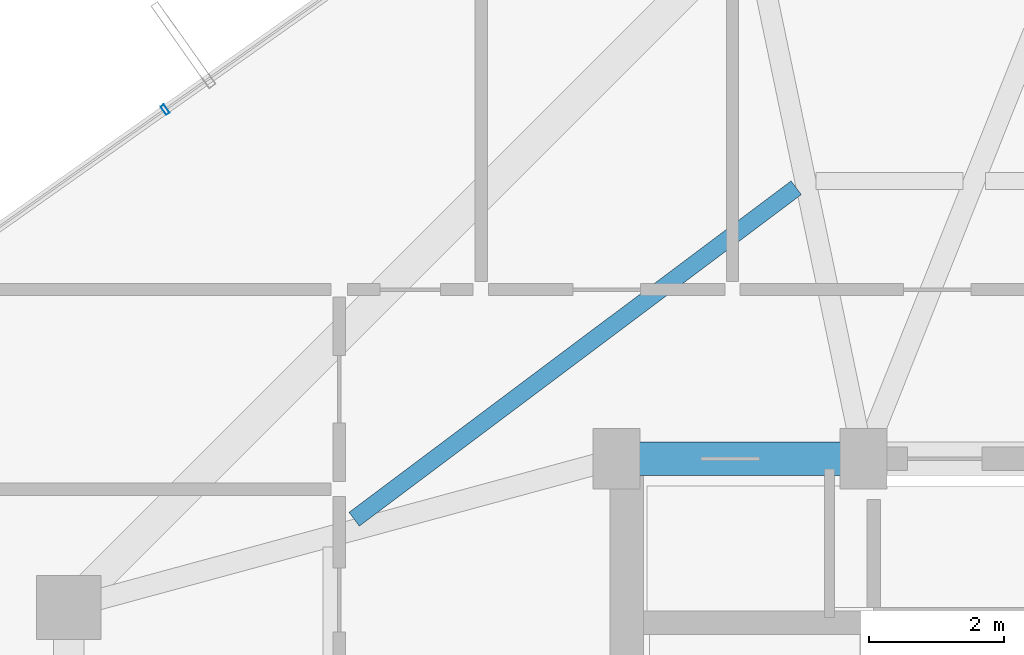
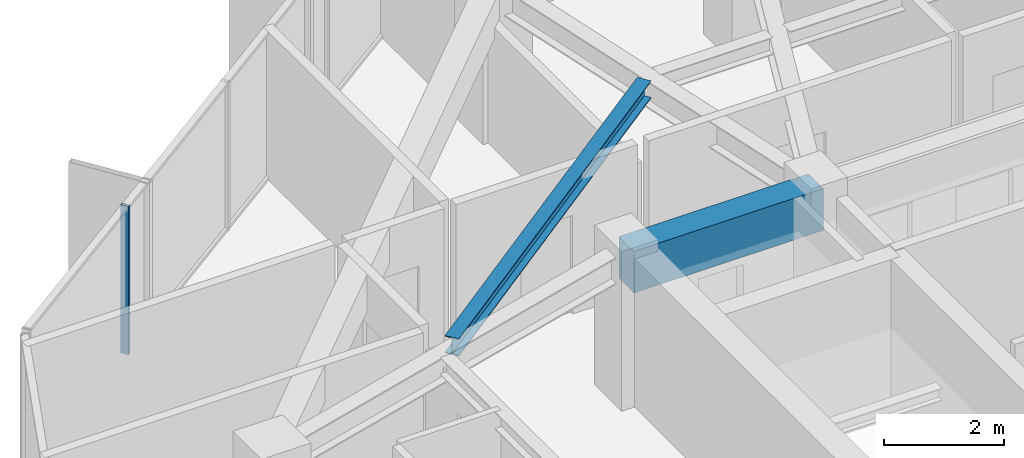
# One storey, part 15 of 32: 2 beams, 1 member, 1 element without a shape of its own.
"""IFC4 building model written with IfcOpenShell, lengths in metres."""

import ifcopenshell
import ifcopenshell.guid

model = None  # the IFC model being written
_history = None  # IfcOwnerHistory: only IFC2X3 demands one
_inside = {}  # id of a spatial element -> (the spatial element, [elements in it])
_under = {}  # id of a project, library or spatial element -> (it, [spatial elements below it])
_declared = {}  # id of a project -> (the project, [libraries it declares])
_typed = {}  # id of a type object -> (the type object, [elements of that type])
_made_of = {}  # id of a material, layer set ... -> (it, [elements and type objects made of it])


def new_model(schema):
    """Start an empty IFC model of exactly this schema.

    Asked for "IFC4X3", IfcOpenShell would pick the latest addendum, in which some entities
    have other attributes; the version numbers below select the first issue.
    IFC2X3 requires an IfcOwnerHistory on every rooted entity: one is made here for all.
    """
    global model, _history
    if schema == "IFC4X3":
        model = ifcopenshell.file(schema_version=(4, 3, 0, 0))
    else:
        model = ifcopenshell.file(schema=schema)
    _inside.clear()
    _under.clear()
    _declared.clear()
    _typed.clear()
    _made_of.clear()
    _history = None
    if model.schema == "IFC2X3":
        org = make("IfcOrganization", Name="unknown")
        user = make(
            "IfcPersonAndOrganization",
            ThePerson=make("IfcPerson", FamilyName="unknown"),
            TheOrganization=org,
        )
        app = make(
            "IfcApplication",
            ApplicationDeveloper=org,
            Version="unknown",
            ApplicationFullName="unknown",
            ApplicationIdentifier="unknown",
        )
        _history = make(
            "IfcOwnerHistory",
            OwningUser=user,
            OwningApplication=app,
            ChangeAction="ADDED",
            CreationDate=0,
        )
    return model


def make(cls, **values):
    """One entity of the class cls with the attributes given. An attribute that is None is left unset."""
    return model.create_entity(
        cls, **{name: value for name, value in values.items() if value is not None}
    )


def rooted(cls, **values):
    """An entity with a GlobalId (a new one), such as an element, a storey or a relation."""
    return make(cls, GlobalId=ifcopenshell.guid.new(), OwnerHistory=_history, **values)


def si_unit(unit_type, name, prefix=None):
    """IfcSIUnit, for example si_unit("LENGTHUNIT", "METRE", prefix="MILLI")."""
    return make("IfcSIUnit", UnitType=unit_type, Prefix=prefix, Name=name)


def assignment(units):
    """IfcUnitAssignment: the units of a project."""
    return None if units is None else make("IfcUnitAssignment", Units=units)


def point(xyz):
    """IfcCartesianPoint."""
    return None if xyz is None else make("IfcCartesianPoint", Coordinates=xyz)


def direction(xyz):
    """IfcDirection."""
    return None if xyz is None else make("IfcDirection", DirectionRatios=xyz)


def frame(location, z_axis=None, x_axis=None):
    """IfcAxis2Placement3D, a coordinate frame: its origin and axes. An axis left out is left unset."""
    return make(
        "IfcAxis2Placement3D",
        Location=point(location),
        Axis=direction(z_axis),
        RefDirection=direction(x_axis),
    )


def frame_2d(location, x_axis=None):
    """IfcAxis2Placement2D, a coordinate frame in the plane: its origin and x axis."""
    return make(
        "IfcAxis2Placement2D", Location=point(location), RefDirection=direction(x_axis)
    )


def origin():
    """The frame at (0, 0, 0) with its axes left unset."""
    return frame((0.0, 0.0, 0.0))


def origin_2d():
    """The frame at (0, 0) in the plane with its x axis left unset."""
    return frame_2d((0.0, 0.0))


def place(relative_to, where):
    """IfcLocalPlacement: puts the frame where relative to a parent placement (None: the world)."""
    return make(
        "IfcLocalPlacement", PlacementRelTo=relative_to, RelativePlacement=where
    )


def context(
    kind, dimensions, precision=None, world=None, true_north=None, identifier=None
):
    """IfcGeometricRepresentationContext, for example the 3D "Model" context."""
    return make(
        "IfcGeometricRepresentationContext",
        ContextIdentifier=identifier,
        ContextType=kind,
        CoordinateSpaceDimension=dimensions,
        Precision=precision,
        WorldCoordinateSystem=world,
        TrueNorth=true_north,
    )


def subcontext(parent, identifier, kind, view, scale=None):
    """IfcGeometricRepresentationSubContext, for example "Body" below "Model"."""
    return make(
        "IfcGeometricRepresentationSubContext",
        ContextIdentifier=identifier,
        ContextType=kind,
        ParentContext=parent,
        TargetScale=scale,
        TargetView=view,
    )


def project(units=None, contexts=None):
    """IfcProject with its units and contexts."""
    return rooted(
        "IfcProject",
        Name="project",
        RepresentationContexts=contexts,
        UnitsInContext=assignment(units),
    )


def spatial(cls, under=None, at=None, **own):
    """A site, building, storey or space (cls), placed at a placement, below another one or the project."""
    s = rooted(cls, ObjectPlacement=at, **own)
    if under is not None:
        _under.setdefault(under.id(), (under, []))[1].append(s)
    return s


def profile(cls, at=None, kind="AREA", **sizes):
    """A parametric profile (cls). Its sizes go by their IFC names, for example OverallWidth=200.0."""
    return make(cls, ProfileType=kind, Position=at, **sizes)


def rectangle(**sizes):
    """IfcRectangleProfileDef."""
    return profile("IfcRectangleProfileDef", **sizes)


def hollow_rectangle(**sizes):
    """IfcRectangleHollowProfileDef."""
    return profile("IfcRectangleHollowProfileDef", **sizes)


def i_section(**sizes):
    """IfcIShapeProfileDef."""
    return profile("IfcIShapeProfileDef", **sizes)


def extrude(swept, where, along, depth):
    """IfcExtrudedAreaSolid: the profile swept, set in the frame where, extruded along a direction by depth."""
    return make(
        "IfcExtrudedAreaSolid",
        SweptArea=swept,
        Position=where,
        ExtrudedDirection=direction(along),
        Depth=depth,
    )


def shape(context_of_items, identifier, shape_type, items):
    """IfcShapeRepresentation: the items that make up one representation, for example the "Body"."""
    return make(
        "IfcShapeRepresentation",
        ContextOfItems=context_of_items,
        RepresentationIdentifier=identifier,
        RepresentationType=shape_type,
        Items=items,
    )


def source(mapping_origin, context_of_items, identifier, shape_type, items):
    """IfcRepresentationMap: a shape defined once, which mapped items show again and again."""
    return make(
        "IfcRepresentationMap",
        MappingOrigin=mapping_origin,
        MappedRepresentation=shape(context_of_items, identifier, shape_type, items),
    )


def transform(
    local_origin,
    x_axis=None,
    y_axis=None,
    z_axis=None,
    scale=None,
    scale2=None,
    scale3=None,
    uniform=True,
):
    """IfcCartesianTransformationOperator3D, or its non-uniform kind. x_axis, y_axis, z_axis: its Axis1, 2, 3."""
    if uniform:
        return make(
            "IfcCartesianTransformationOperator3D",
            Axis1=direction(x_axis),
            Axis2=direction(y_axis),
            LocalOrigin=point(local_origin),
            Scale=scale,
            Axis3=direction(z_axis),
        )
    return make(
        "IfcCartesianTransformationOperator3DnonUniform",
        Axis1=direction(x_axis),
        Axis2=direction(y_axis),
        LocalOrigin=point(local_origin),
        Scale=scale,
        Axis3=direction(z_axis),
        Scale2=scale2,
        Scale3=scale3,
    )


def mapped(mapping_source, mapping_target):
    """IfcMappedItem: shows the shape of a source again, moved by a transform."""
    return make(
        "IfcMappedItem", MappingSource=mapping_source, MappingTarget=mapping_target
    )


def material(Name=None, Category=None):
    """IfcMaterial."""
    return make("IfcMaterial", Name=Name, Category=Category)


def layer(
    of_material, thickness, ventilated=None, Name=None, Category=None, Priority=None
):
    """IfcMaterialLayer: one layer of a wall or slab, of a material (None: an air gap)."""
    return make(
        "IfcMaterialLayer",
        Material=of_material,
        LayerThickness=thickness,
        IsVentilated=ventilated,
        Name=Name,
        Category=Category,
        Priority=Priority,
    )


def layer_set(layers, Name=None):
    """IfcMaterialLayerSet."""
    return make("IfcMaterialLayerSet", MaterialLayers=layers, LayerSetName=Name)


def material_profile(
    of_material, cross_section, Name=None, Category=None, Priority=None
):
    """IfcMaterialProfile: a cross section and its material."""
    return make(
        "IfcMaterialProfile",
        Name=Name,
        Material=of_material,
        Profile=cross_section,
        Priority=Priority,
        Category=Category,
    )


def profile_set(profiles, Name=None, composite=None):
    """IfcMaterialProfileSet."""
    return make(
        "IfcMaterialProfileSet",
        Name=Name,
        MaterialProfiles=profiles,
        CompositeProfile=composite,
    )


def made_of(thing, what):
    """Note that an element or type object is made of a material, layer set ...; save() writes the relation."""
    if what is not None:
        _made_of.setdefault(what.id(), (what, []))[1].append(thing)
    return thing


def type_object(cls, material=None, **own):
    """A type object (cls), such as IfcWallType, which elements share."""
    return made_of(rooted(cls, **own), material)


def element(
    cls,
    number,
    at=None,
    inside=None,
    cuts=None,
    type_object=None,
    material=None,
    context=None,
    identifier="Body",
    shape_type=None,
    held_by="IfcProductDefinitionShape",
    body=None,
    shapes=None,
    **own,
):
    """One element of the class cls, such as IfcWall. Its Tag is "e" and its number.

    at: its placement. inside: the storey or other place that contains it. cuts: it is an
    opening in that element (IfcRelVoidsElement). A single representation is given by context,
    identifier, shape_type and body (its items); several are given by shapes. held_by: the class
    of the entity that holds the representations. save() writes the other relations.
    """
    e = rooted(cls, Tag="e%d" % number, ObjectPlacement=at, **own)
    if body is not None:
        shapes = [shape(context, identifier, shape_type, body)]
    if shapes is not None:
        e.Representation = make(held_by, Representations=shapes)
    if inside is not None:
        _inside.setdefault(inside.id(), (inside, []))[1].append(e)
    if cuts is not None:
        rooted(
            "IfcRelVoidsElement", RelatingBuildingElement=cuts, RelatedOpeningElement=e
        )
    if type_object is not None:
        _typed.setdefault(type_object.id(), (type_object, []))[1].append(e)
    return made_of(e, material)


def aggregate(whole, parts):
    """IfcRelAggregates: a whole, such as a stair, and the parts it consists of."""
    return rooted("IfcRelAggregates", RelatingObject=whole, RelatedObjects=parts)


def save(model, path):
    """Write the relations noted so far, then the file.

    IfcRelAggregates (storeys below a building ...), IfcRelContainedInSpatialStructure (elements
    in a storey), IfcRelDefinesByType, IfcRelAssociatesMaterial and IfcRelDeclares: one each for
    every whole, place, type object, material and project.
    """
    for whole, parts in _under.values():
        aggregate(whole, parts)
    for where, things in _inside.values():
        rooted(
            "IfcRelContainedInSpatialStructure",
            RelatedElements=things,
            RelatingStructure=where,
        )
    for kind, things in _typed.values():
        rooted("IfcRelDefinesByType", RelatedObjects=things, RelatingType=kind)
    for what, things in _made_of.values():
        rooted("IfcRelAssociatesMaterial", RelatedObjects=things, RelatingMaterial=what)
    for by, libraries in _declared.values():
        rooted("IfcRelDeclares", RelatingContext=by, RelatedDefinitions=libraries)
    model.write(path)


model = new_model("IFC4")

# Units and contexts
model_context = context("Model", 3, precision=1e-05, world=origin(), true_north=direction((0.0, 1.0)))
body_context = subcontext(model_context, "Body", "Model", "MODEL_VIEW")
ifc_project = project(units=[si_unit("LENGTHUNIT", "METRE"), si_unit("AREAUNIT", "SQUARE_METRE"), si_unit("VOLUMEUNIT", "CUBIC_METRE"), si_unit("PLANEANGLEUNIT", "RADIAN"), si_unit("MASSUNIT", "GRAM", prefix="KILO")], contexts=[model_context])

# Site, building, storey
site_placement = place(None, origin())
site = spatial("IfcSite", under=ifc_project, at=site_placement, CompositionType="ELEMENT")
building_placement = place(site_placement, origin())
building = spatial("IfcBuilding", under=site, at=building_placement, Name="Veraguas Prism Commons", CompositionType="ELEMENT")
storey_placement = place(building_placement, frame((0.0, 0.0, 188.60009765625)))
storey = spatial("IfcBuildingStorey", under=building, at=storey_placement, Name="L53", CompositionType="ELEMENT", Elevation=188.60009765625)

# Beams
ifc_material_1 = material(Name="Concrete C50/60", Category="concrete")
ifc_material_profile_1 = material_profile(ifc_material_1, rectangle(XDim=0.5, YDim=0.85009765625, at=origin_2d()), Name="RC500X850")
ifc_profile_set_1 = profile_set([ifc_material_profile_1], Name="Concrete C50/60")
beam_type_1 = type_object("IfcBeamType", Name="Core Coupling Beam RC 500x850", PredefinedType="BEAM", material=ifc_profile_set_1)
beam_1_placement = place(storey_placement, frame((17.199951171875, 31.0, 2.58984375), z_axis=(1.0, 0.0, 0.0), x_axis=(0.0, 1.0, 0.0)))
element("IfcBeam", 1, at=beam_1_placement, inside=storey, type_object=beam_type_1, Name="Core Coupling Beam L53-CRN1", PredefinedType="BEAM", context=body_context, shape_type="SweptSolid", body=[
    extrude(rectangle(XDim=0.5, YDim=0.85009765625, at=origin_2d()), origin(), (0.0, 0.0, 1.0), 3.650146484375),
])
ifc_material_2 = material(Name="Steel ASTM A992 Grade 50", Category="steel")
ifc_material_profile_2 = material_profile(ifc_material_2, i_section(OverallWidth=0.25390625, OverallDepth=0.35302734375, WebThickness=0.009521484375, FlangeThickness=0.016357421875, at=origin_2d()), Name="W360X91")
ifc_profile_set_2 = profile_set([ifc_material_profile_2], Name="Steel ASTM A992 Grade 50")
beam_type_2 = type_object("IfcBeamType", Name="Upper Floor Joist W360x91", PredefinedType="JOIST", material=ifc_profile_set_2)
beam_2_placement = place(storey_placement, frame((19.8564453125, 35.00634765625, 2.83837890625), z_axis=(-0.800060962004, -0.599918708724, 0.0), x_axis=(0.599918708724, -0.800060962004, 0.0)))
element("IfcBeam", 2, at=beam_2_placement, inside=storey, type_object=beam_type_2, Name="Composite Floor Joist L53-JS06", PredefinedType="JOIST", context=body_context, shape_type="SweptSolid", body=[
    extrude(i_section(OverallWidth=0.25390625, OverallDepth=0.35302734375, WebThickness=0.009521484375, FlangeThickness=0.016357421875, at=origin_2d()), origin(), (0.0, 0.0, 1.0), 8.169189453125),
])

# Curtain wall, member
ifc_material_3 = material(Name="Anodised aluminium EN AW-6063 T6", Category="aluminium")
ifc_layer = layer(ifc_material_3, 0.14990234375, Name="Unitised Flush Curtain Wall Zone 3", Category="aluminium")
ifc_layer_set = layer_set([ifc_layer], Name="Anodised aluminium EN AW-6063 T6")
curtain_wall_type = type_object("IfcCurtainWallType", Name="Unitised Flush Curtain Wall Zone 3", PredefinedType="NOTDEFINED", material=ifc_layer_set)
curtain_wall_placement = place(storey_placement, origin())
curtain_wall = element("IfcCurtainWall", 3, at=curtain_wall_placement, inside=storey, type_object=curtain_wall_type, Name="Tower Facade Curtain Wall L53-F2", PredefinedType="NOTDEFINED")
ifc_material_profile_3 = material_profile(ifc_material_3, hollow_rectangle(XDim=0.06005859375, YDim=0.14990234375, WallThickness=0.0029296875, at=origin_2d()), Name="AL60X150X3")
ifc_profile_set_3 = profile_set([ifc_material_profile_3], Name="Anodised aluminium EN AW-6063 T6")
member_type = type_object("IfcMemberType", Name="Curtain Wall Mullion Upper AL 60x150x3", PredefinedType="MULLION", material=ifc_profile_set_3)
shared_shape = source(origin(), body_context, "Body", "SweptSolid", [
    extrude(hollow_rectangle(XDim=0.06005859375, YDim=0.14990234375, WallThickness=0.0029296875, at=origin_2d()), origin(), (0.0, 0.0, 1.0), 3.014892578125),
])
member_placement = place(storey_placement, frame((10.525634765625, 36.161376953125, 0.0), z_axis=(0.0, 0.0, 1.0), x_axis=(-0.816341266821, -0.577569853857, 0.0)))
member = element("IfcMember", 4, at=member_placement, type_object=member_type, Name="CW-Z3 Mullion 4", PredefinedType="MULLION", context=body_context, shape_type="MappedRepresentation", body=[
    mapped(shared_shape, transform((0.0, 0.0, 0.0), scale=1.0)),
])
aggregate(curtain_wall, [member])

save(model, "model.ifc")
